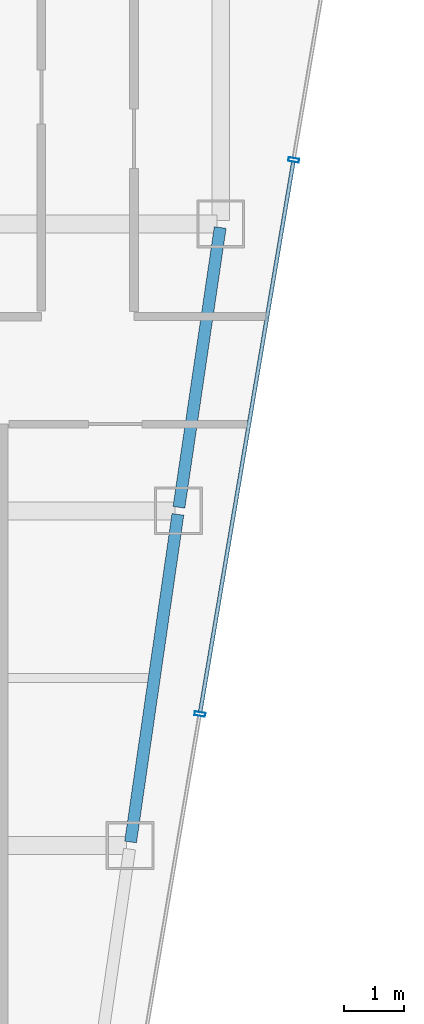
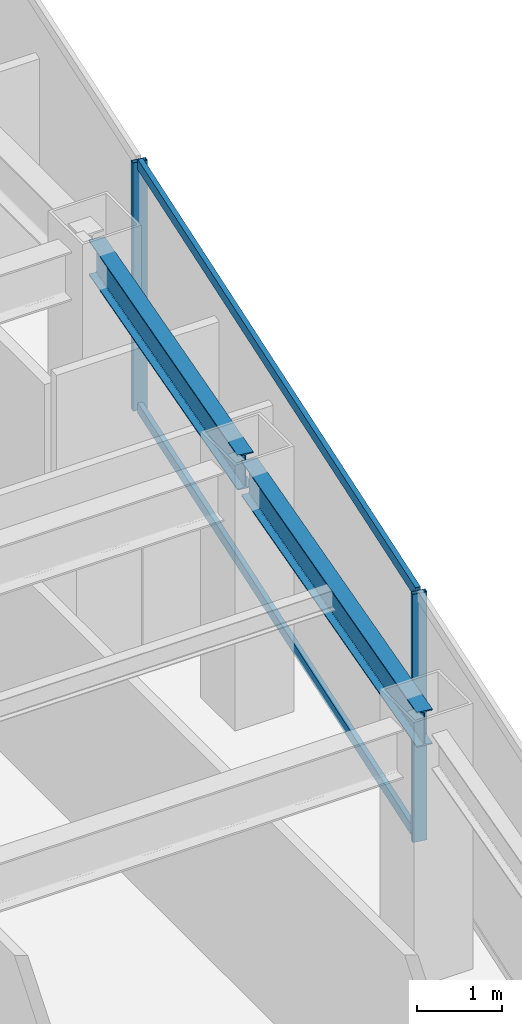
# One storey, part 22 of 36: 4 members, 2 beams, 1 element without a shape of its own.
"""IFC4 building model written with IfcOpenShell, lengths in metres."""

from ifc_helpers import new_model, si_unit, direction, frame, origin, origin_2d, place, context, subcontext, project, spatial, hollow_rectangle, i_section, extrude, material, material_profile, profile_set, type_object, element, aggregate, save


model = new_model("IFC4")

# Units and contexts
model_context = context("Model", 3, precision=1e-05, world=origin(), true_north=direction((0.0, 1.0)))
body_context = subcontext(model_context, "Body", "Model", "MODEL_VIEW")
ifc_project = project(units=[si_unit("LENGTHUNIT", "METRE"), si_unit("AREAUNIT", "SQUARE_METRE"), si_unit("VOLUMEUNIT", "CUBIC_METRE"), si_unit("PLANEANGLEUNIT", "RADIAN"), si_unit("MASSUNIT", "GRAM", prefix="KILO")], contexts=[model_context])

# Site, building, storey
site_placement = place(None, origin())
site = spatial("IfcSite", under=ifc_project, at=site_placement, CompositionType="ELEMENT")
building_placement = place(site_placement, origin())
building = spatial("IfcBuilding", under=site, at=building_placement, Name="Saevonmaru Cultural Tower", CompositionType="ELEMENT")
storey_placement = place(building_placement, frame((0.0, 0.0, 205.60009765625)))
storey = spatial("IfcBuildingStorey", under=building, at=storey_placement, Name="L47", CompositionType="ELEMENT", Elevation=205.60009765625)

# Beams
ifc_material_1 = material(Name="Steel SM355", Category="steel")
ifc_material_profile_1 = material_profile(ifc_material_1, i_section(OverallWidth=0.199951171875, OverallDepth=0.5, WebThickness=0.010009765625, FlangeThickness=0.01611328125, FilletRadius=0.02001953125, at=origin_2d()), Name="H-500x200x10x16")
ifc_profile_set_1 = profile_set([ifc_material_profile_1], Name="Steel SM355")
beam_type = type_object("IfcBeamType", Name="BM-SP-H500", PredefinedType="SPANDREL", material=ifc_profile_set_1)
beam_1_placement = place(storey_placement, frame((51.691650390625, 32.059326171875, 3.2998046875), z_axis=(0.142964121327, 0.989727871697, 0.0), x_axis=(-0.989727871697, 0.142964121327, 0.0)))
element("IfcBeam", 1, at=beam_1_placement, inside=storey, type_object=beam_type, Name="L47 East Splayed Spandrel 3", PredefinedType="SPANDREL", context=body_context, shape_type="SweptSolid", body=[
    extrude(i_section(OverallWidth=0.199951171875, OverallDepth=0.5, WebThickness=0.010009765625, FlangeThickness=0.01611328125, FilletRadius=0.02001953125, at=origin_2d()), origin(), (0.0, 0.0, 1.0), 5.5380859375),
])
beam_2_placement = place(storey_placement, frame((52.500732421875, 37.659423828125, 3.2998046875), z_axis=(0.145912860028, 0.989297446312, 0.0), x_axis=(-0.989297446312, 0.145912860028, 0.0)))
element("IfcBeam", 2, at=beam_2_placement, inside=storey, type_object=beam_type, Name="L47 East Splayed Spandrel 4", PredefinedType="SPANDREL", context=body_context, shape_type="SweptSolid", body=[
    extrude(i_section(OverallWidth=0.199951171875, OverallDepth=0.5, WebThickness=0.010009765625, FlangeThickness=0.01611328125, FilletRadius=0.02001953125, at=origin_2d()), origin(), (0.0, 0.0, 1.0), 4.731689453125),
])

# Curtain wall, members
ifc_material_2 = material(Name="Satin Bronze Anodised Aluminium", Category="aluminium")
curtain_wall_type = type_object("IfcCurtainWallType", Name="CW-TYP-B", PredefinedType="NOTDEFINED", material=ifc_material_2)
curtain_wall_placement = place(storey_placement, origin())
curtain_wall = element("IfcCurtainWall", 3, at=curtain_wall_placement, inside=storey, type_object=curtain_wall_type, Name="L47 Unitised Curtain Wall E8", PredefinedType="NOTDEFINED")
ifc_material_profile_2 = material_profile(ifc_material_2, hollow_rectangle(XDim=0.06494140625, YDim=0.179931640625, WallThickness=0.00390625, at=origin_2d()), Name="ALU-MULL-180x65x4")
ifc_profile_set_2 = profile_set([ifc_material_profile_2], Name="Satin Bronze Anodised Aluminium")
member_type_1 = type_object("IfcMemberType", Name="ML-CW-180x65", PredefinedType="MULLION", material=ifc_profile_set_2)
member_1_placement = place(storey_placement, frame((52.85107421875, 34.199951171875, 0.0), z_axis=(0.0, 0.0, 1.0), x_axis=(0.16692169721, 0.985970155228, 0.0)))
member_1 = element("IfcMember", 4, at=member_1_placement, type_object=member_type_1, Name="CW-TW-L47-E8 mullion 3", PredefinedType="MULLION", context=body_context, shape_type="SweptSolid", body=[
    extrude(hollow_rectangle(XDim=0.06494140625, YDim=0.179931640625, WallThickness=0.00390625, at=origin_2d()), origin(), (0.0, 0.0, 1.0), 3.5498046875),
])
member_2_placement = place(storey_placement, frame((54.420654296875, 43.470458984375, 0.0), z_axis=(0.0, 0.0, 1.0), x_axis=(0.16692169721, 0.985970155228, 0.0)))
member_2 = element("IfcMember", 5, at=member_2_placement, type_object=member_type_1, Name="CW-TW-L47-E8 mullion 4", PredefinedType="MULLION", context=body_context, shape_type="SweptSolid", body=[
    extrude(hollow_rectangle(XDim=0.06494140625, YDim=0.179931640625, WallThickness=0.00390625, at=origin_2d()), origin(), (0.0, 0.0, 1.0), 3.5498046875),
])
ifc_material_profile_3 = material_profile(ifc_material_2, hollow_rectangle(XDim=0.06494140625, YDim=0.14990234375, WallThickness=0.00390625, at=origin_2d()), Name="ALU-TRAN-150x65x4")
ifc_profile_set_3 = profile_set([ifc_material_profile_3], Name="Satin Bronze Anodised Aluminium")
member_type_2 = type_object("IfcMemberType", Name="TR-CW-150x65", PredefinedType="USERDEFINED", material=ifc_profile_set_3)
member_3_placement = place(storey_placement, frame((52.8564453125, 34.23193359375, 0.032470703125), z_axis=(0.166916960754, 0.985970957084, 0.0), x_axis=(-0.985970957084, 0.166916960754, 0.0)))
member_3 = element("IfcMember", 6, at=member_3_placement, type_object=member_type_2, Name="CW-TW-L47-E8 transom 3.1", ObjectType="TRANSOM", PredefinedType="USERDEFINED", context=body_context, shape_type="SweptSolid", body=[
    extrude(hollow_rectangle(XDim=0.06494140625, YDim=0.14990234375, WallThickness=0.00390625, at=origin_2d()), origin(), (0.0, 0.0, 1.0), 9.337646484375),
])
member_4_placement = place(storey_placement, frame((52.8564453125, 34.23193359375, 3.517333984375), z_axis=(0.166916960754, 0.985970957084, 0.0), x_axis=(-0.985970957084, 0.166916960754, 0.0)))
member_4 = element("IfcMember", 7, at=member_4_placement, type_object=member_type_2, Name="CW-TW-L47-E8 transom 3.2", ObjectType="TRANSOM", PredefinedType="USERDEFINED", context=body_context, shape_type="SweptSolid", body=[
    extrude(hollow_rectangle(XDim=0.06494140625, YDim=0.14990234375, WallThickness=0.00390625, at=origin_2d()), origin(), (0.0, 0.0, 1.0), 9.337646484375),
])
aggregate(curtain_wall, [member_1, member_2, member_3, member_4])

save(model, "model.ifc")
